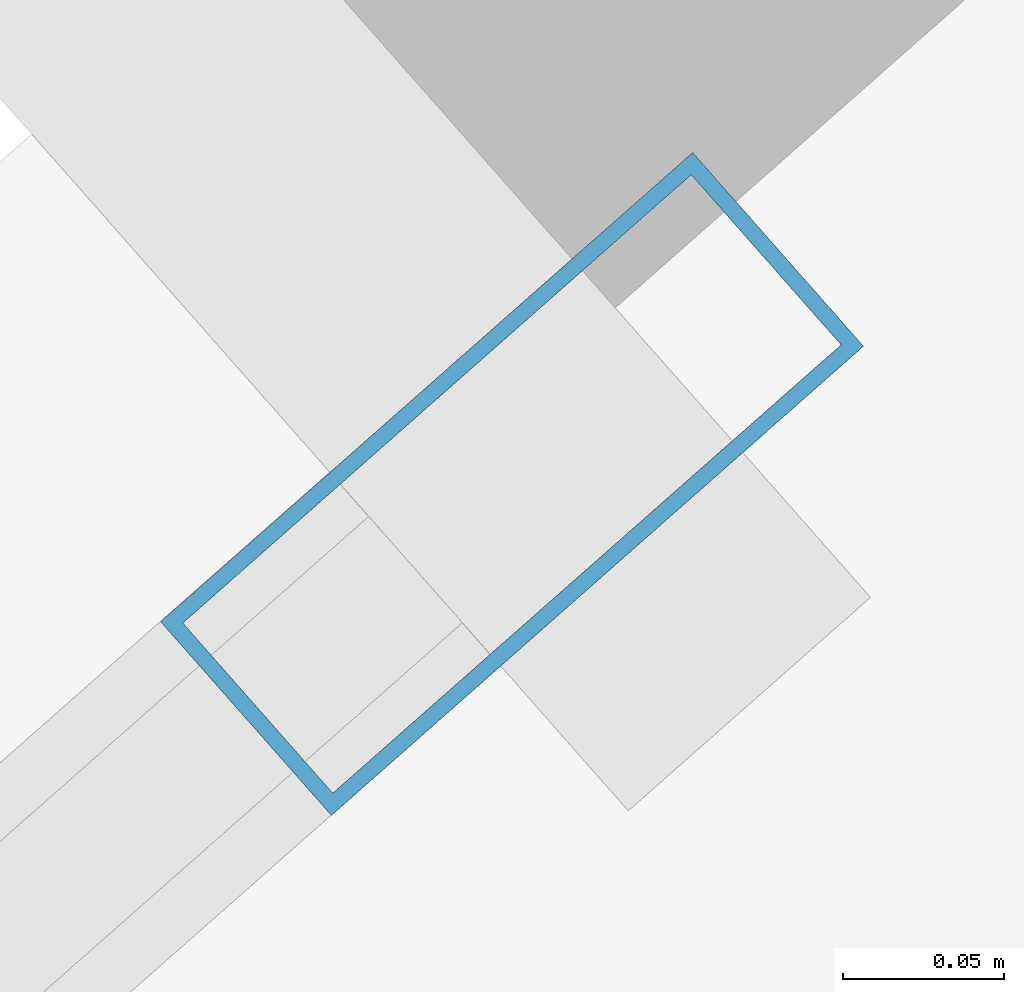
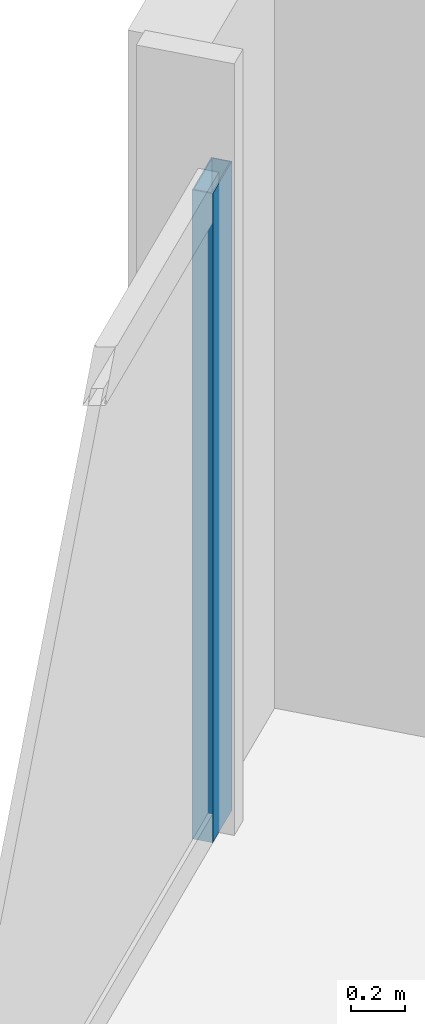
# One storey, part 20 of 34: 1 member, 1 element without a shape of its own.
"""IFC4 building model written with IfcOpenShell, lengths in metres."""

from ifc_helpers import new_model, si_unit, direction, frame, origin, origin_2d, place, context, subcontext, project, spatial, hollow_rectangle, extrude, material, material_profile, profile_set, type_object, element, aggregate, save


model = new_model("IFC4")

# Units and contexts
model_context = context("Model", 3, precision=1e-05, world=origin(), true_north=direction((0.0, 1.0)))
body_context = subcontext(model_context, "Body", "Model", "MODEL_VIEW")
ifc_project = project(units=[si_unit("LENGTHUNIT", "METRE"), si_unit("AREAUNIT", "SQUARE_METRE"), si_unit("VOLUMEUNIT", "CUBIC_METRE"), si_unit("PLANEANGLEUNIT", "RADIAN"), si_unit("MASSUNIT", "GRAM", prefix="KILO")], contexts=[model_context])

# Site, building, storey
site_placement = place(None, origin())
site = spatial("IfcSite", under=ifc_project, at=site_placement, CompositionType="ELEMENT")
building_placement = place(site_placement, origin())
building = spatial("IfcBuilding", under=site, at=building_placement, Name="Haldenkirk Collegiate Tower", CompositionType="ELEMENT")
storey_placement = place(building_placement, frame((0.0, 0.0, 166.949951171875)))
storey = spatial("IfcBuildingStorey", under=building, at=storey_placement, Name="L41", CompositionType="ELEMENT", Elevation=166.949951171875)

# Curtain wall, member
ifc_material = material(Name="Anodised architectural bronze aluminium", Category="aluminium")
curtain_wall_type = type_object("IfcCurtainWallType", Name="CW-SYS1-CONVEX-LOW", PredefinedType="USERDEFINED", material=ifc_material)
curtain_wall_placement = place(storey_placement, origin())
curtain_wall = element("IfcCurtainWall", 1, at=curtain_wall_placement, inside=storey, type_object=curtain_wall_type, Name="L41 Lower tower convex bronze-framed unitised curtain wall", ObjectType="UNITISED CURTAIN WALL", PredefinedType="USERDEFINED")
ifc_material_profile = material_profile(ifc_material, hollow_rectangle(XDim=0.080078125, YDim=0.219970703125, WallThickness=0.0048828125, at=origin_2d()), Name="CW-MUL-1A")
ifc_profile_set = profile_set([ifc_material_profile], Name="Anodised architectural bronze aluminium")
member_type = type_object("IfcMemberType", Name="CW-MUL-1A", PredefinedType="MULLION", material=ifc_profile_set)
member_placement = place(storey_placement, frame((35.5458984375, 56.621826171875, 0.0), z_axis=(0.0, 0.0, 1.0), x_axis=(-0.661310403519, 0.750112358382, 0.0)))
member = element("IfcMember", 2, at=member_placement, type_object=member_type, Name="CW-1A mullion 5", PredefinedType="MULLION", context=body_context, shape_type="SweptSolid", body=[
    extrude(hollow_rectangle(XDim=0.080078125, YDim=0.219970703125, WallThickness=0.0048828125, at=origin_2d()), origin(), (0.0, 0.0, 1.0), 2.9111328125),
])
aggregate(curtain_wall, [member])

save(model, "model.ifc")
